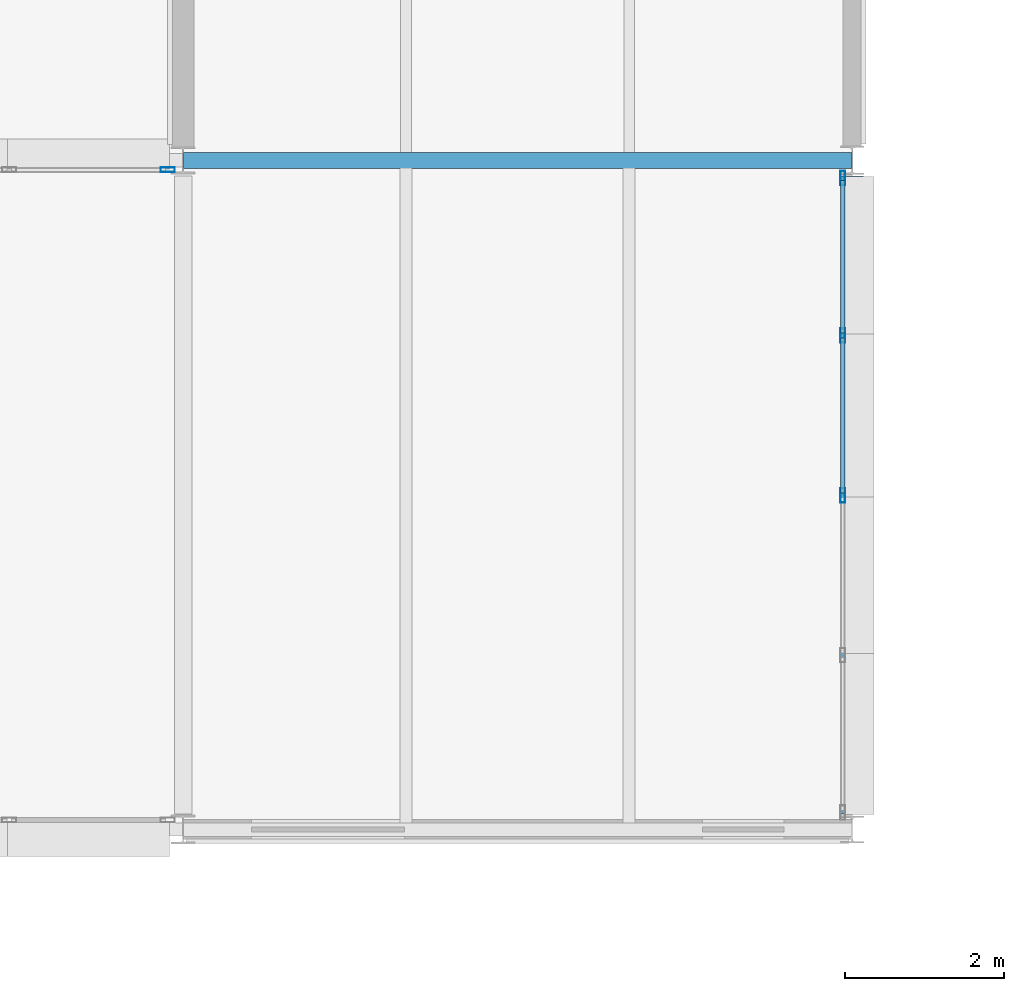
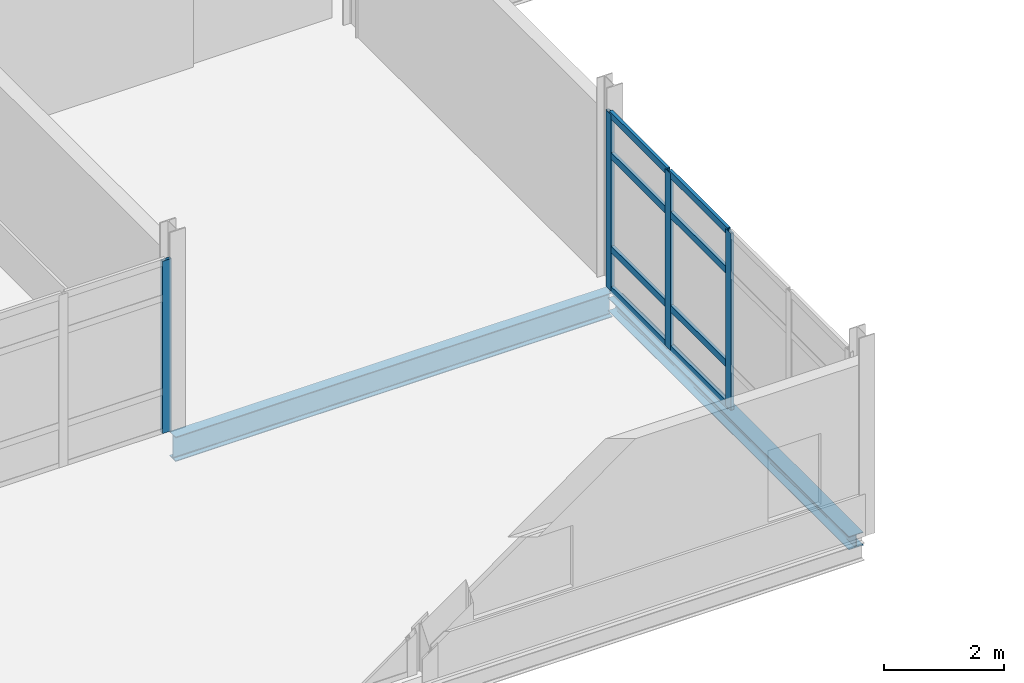
# One storey, part 45 of 131: 12 members, 2 beams, 2 elements without a shape of their own.
"""IFC4 building model written with IfcOpenShell, lengths in metres."""

from ifc_helpers import new_model, si_unit, direction, frame, origin, origin_2d, place, context, subcontext, project, spatial, hollow_rectangle, i_section, extrude, material, material_profile, profile_set, type_object, element, aggregate, save


model = new_model("IFC4")

# Units and contexts
model_context = context("Model", 3, precision=1e-05, world=origin(), true_north=direction((0.0, 1.0)))
body_context = subcontext(model_context, "Body", "Model", "MODEL_VIEW")
ifc_project = project(units=[si_unit("LENGTHUNIT", "METRE"), si_unit("AREAUNIT", "SQUARE_METRE"), si_unit("VOLUMEUNIT", "CUBIC_METRE"), si_unit("PLANEANGLEUNIT", "RADIAN"), si_unit("MASSUNIT", "GRAM", prefix="KILO")], contexts=[model_context])

# Site, building, storey
site_placement = place(None, origin())
site = spatial("IfcSite", under=ifc_project, at=site_placement, CompositionType="ELEMENT")
building_placement = place(site_placement, origin())
building = spatial("IfcBuilding", under=site, at=building_placement, Name="Mersafa Astral City Hall", CompositionType="ELEMENT")
storey_placement = place(building_placement, frame((0.0, 0.0, 13.949951171875)))
storey = spatial("IfcBuildingStorey", under=building, at=storey_placement, Name="L03", CompositionType="ELEMENT", Elevation=13.949951171875)

# Curtain wall, member
ifc_material_1 = material(Name="Anodised bronze aluminium framing", Category="aluminium")
curtain_wall_type = type_object("IfcCurtainWallType", Name="ENV-CW-4", PredefinedType="USERDEFINED", material=ifc_material_1)
curtain_wall_1_placement = place(storey_placement, origin())
curtain_wall_1 = element("IfcCurtainWall", 1, at=curtain_wall_1_placement, inside=storey, type_object=curtain_wall_type, Name="L03 Unitised solar curtain wall 171", ObjectType="UNITISED CURTAIN WALL", PredefinedType="USERDEFINED")
ifc_material_profile_1 = material_profile(ifc_material_1, hollow_rectangle(XDim=0.06005859375, YDim=0.179931640625, WallThickness=0.00390625, at=origin_2d()), Name="RHS 60x180x4")
ifc_profile_set_1 = profile_set([ifc_material_profile_1], Name="Anodised bronze aluminium framing")
member_type_1 = type_object("IfcMemberType", Name="ENV-CW-MUL-1", PredefinedType="MULLION", material=ifc_profile_set_1)
member_1_placement = place(storey_placement, frame((41.80810546875, 100.679931640625, -0.001953125), z_axis=(0.0, 0.0, 1.0), x_axis=(0.0, -1.0, 0.0)))
member_1 = element("IfcMember", 2, at=member_1_placement, type_object=member_type_1, Name="CW-4 mullion 1", PredefinedType="MULLION", context=body_context, shape_type="SweptSolid", body=[
    extrude(hollow_rectangle(XDim=0.06005859375, YDim=0.179931640625, WallThickness=0.00390625, at=origin_2d()), origin(), (0.0, 0.0, 1.0), 3.50390625),
])
aggregate(curtain_wall_1, [member_1])

# Curtain wall, members
curtain_wall_2_placement = place(storey_placement, origin())
curtain_wall_2 = element("IfcCurtainWall", 3, at=curtain_wall_2_placement, inside=storey, type_object=curtain_wall_type, Name="L03 Unitised solar curtain wall 177", ObjectType="UNITISED CURTAIN WALL", PredefinedType="USERDEFINED")
member_2_placement = place(storey_placement, frame((50.280029296875, 96.594970703125, -0.001953125), z_axis=(0.0, 0.0, 1.0), x_axis=(-1.0, 0.0, 0.0)))
member_2 = element("IfcMember", 4, at=member_2_placement, type_object=member_type_1, Name="CW-4 mullion 3", PredefinedType="MULLION", context=body_context, shape_type="SweptSolid", body=[
    extrude(hollow_rectangle(XDim=0.06005859375, YDim=0.179931640625, WallThickness=0.00390625, at=origin_2d()), origin(), (0.0, 0.0, 1.0), 3.593994140625),
])
member_3_placement = place(storey_placement, frame((50.280029296875, 98.6015625, -0.001953125), z_axis=(0.0, 0.0, 1.0), x_axis=(-1.0, 0.0, 0.0)))
member_3 = element("IfcMember", 5, at=member_3_placement, type_object=member_type_1, Name="CW-4 mullion 4", PredefinedType="MULLION", context=body_context, shape_type="SweptSolid", body=[
    extrude(hollow_rectangle(XDim=0.06005859375, YDim=0.179931640625, WallThickness=0.00390625, at=origin_2d()), origin(), (0.0, 0.0, 1.0), 3.593994140625),
])
member_4_placement = place(storey_placement, frame((50.280029296875, 100.577880859375, -0.001953125), z_axis=(0.0, 0.0, 1.0), x_axis=(-1.0, 0.0, 0.0)))
member_4 = element("IfcMember", 6, at=member_4_placement, type_object=member_type_1, Name="CW-4 mullion 5", PredefinedType="MULLION", context=body_context, shape_type="SweptSolid", body=[
    extrude(hollow_rectangle(XDim=0.06005859375, YDim=0.179931640625, WallThickness=0.00390625, at=origin_2d()), origin(), (0.0, 0.0, 1.0), 3.593994140625),
])
ifc_material_profile_2 = material_profile(ifc_material_1, hollow_rectangle(XDim=0.06005859375, YDim=0.139892578125, WallThickness=0.00390625, at=origin_2d()), Name="RHS 60x140x4")
ifc_profile_set_2 = profile_set([ifc_material_profile_2], Name="Anodised bronze aluminium framing")
member_type_2 = type_object("IfcMemberType", Name="ENV-CW-TRN-1", PredefinedType="USERDEFINED", material=ifc_profile_set_2)
member_5_placement = place(storey_placement, frame((50.280029296875, 96.625, 0.028076171875), z_axis=(0.0, 1.0, 0.0), x_axis=(-1.0, 0.0, 0.0)))
member_5 = element("IfcMember", 7, at=member_5_placement, type_object=member_type_2, Name="CW-4 transom 3.1", ObjectType="TRANSOM", PredefinedType="USERDEFINED", context=body_context, shape_type="SweptSolid", body=[
    extrude(hollow_rectangle(XDim=0.06005859375, YDim=0.139892578125, WallThickness=0.00390625, at=origin_2d()), origin(), (0.0, 0.0, 1.0), 1.946533203125),
])
member_6_placement = place(storey_placement, frame((50.280029296875, 96.625, 0.85009765625), z_axis=(0.0, 1.0, 0.0), x_axis=(-1.0, 0.0, 0.0)))
member_6 = element("IfcMember", 8, at=member_6_placement, type_object=member_type_2, Name="CW-4 transom 3.2", ObjectType="TRANSOM", PredefinedType="USERDEFINED", context=body_context, shape_type="SweptSolid", body=[
    extrude(hollow_rectangle(XDim=0.06005859375, YDim=0.139892578125, WallThickness=0.00390625, at=origin_2d()), origin(), (0.0, 0.0, 1.0), 1.946533203125),
])
member_7_placement = place(storey_placement, frame((50.280029296875, 96.625, 2.75), z_axis=(0.0, 1.0, 0.0), x_axis=(-1.0, 0.0, 0.0)))
member_7 = element("IfcMember", 9, at=member_7_placement, type_object=member_type_2, Name="CW-4 transom 3.3", ObjectType="TRANSOM", PredefinedType="USERDEFINED", context=body_context, shape_type="SweptSolid", body=[
    extrude(hollow_rectangle(XDim=0.06005859375, YDim=0.139892578125, WallThickness=0.00390625, at=origin_2d()), origin(), (0.0, 0.0, 1.0), 1.946533203125),
])
member_8_placement = place(storey_placement, frame((50.280029296875, 96.625, 3.56201171875), z_axis=(0.0, 1.0, 0.0), x_axis=(-1.0, 0.0, 0.0)))
member_8 = element("IfcMember", 10, at=member_8_placement, type_object=member_type_2, Name="CW-4 transom 3.4", ObjectType="TRANSOM", PredefinedType="USERDEFINED", context=body_context, shape_type="SweptSolid", body=[
    extrude(hollow_rectangle(XDim=0.06005859375, YDim=0.139892578125, WallThickness=0.00390625, at=origin_2d()), origin(), (0.0, 0.0, 1.0), 1.946533203125),
])
member_9_placement = place(storey_placement, frame((50.280029296875, 98.631591796875, 0.028076171875), z_axis=(0.0, 1.0, 0.0), x_axis=(-1.0, 0.0, 0.0)))
member_9 = element("IfcMember", 11, at=member_9_placement, type_object=member_type_2, Name="CW-4 transom 4.1", ObjectType="TRANSOM", PredefinedType="USERDEFINED", context=body_context, shape_type="SweptSolid", body=[
    extrude(hollow_rectangle(XDim=0.06005859375, YDim=0.139892578125, WallThickness=0.00390625, at=origin_2d()), origin(), (0.0, 0.0, 1.0), 1.91650390625),
])
member_10_placement = place(storey_placement, frame((50.280029296875, 98.631591796875, 0.85009765625), z_axis=(0.0, 1.0, 0.0), x_axis=(-1.0, 0.0, 0.0)))
member_10 = element("IfcMember", 12, at=member_10_placement, type_object=member_type_2, Name="CW-4 transom 4.2", ObjectType="TRANSOM", PredefinedType="USERDEFINED", context=body_context, shape_type="SweptSolid", body=[
    extrude(hollow_rectangle(XDim=0.06005859375, YDim=0.139892578125, WallThickness=0.00390625, at=origin_2d()), origin(), (0.0, 0.0, 1.0), 1.91650390625),
])
member_11_placement = place(storey_placement, frame((50.280029296875, 98.631591796875, 2.75), z_axis=(0.0, 1.0, 0.0), x_axis=(-1.0, 0.0, 0.0)))
member_11 = element("IfcMember", 13, at=member_11_placement, type_object=member_type_2, Name="CW-4 transom 4.3", ObjectType="TRANSOM", PredefinedType="USERDEFINED", context=body_context, shape_type="SweptSolid", body=[
    extrude(hollow_rectangle(XDim=0.06005859375, YDim=0.139892578125, WallThickness=0.00390625, at=origin_2d()), origin(), (0.0, 0.0, 1.0), 1.91650390625),
])
member_12_placement = place(storey_placement, frame((50.280029296875, 98.631591796875, 3.56201171875), z_axis=(0.0, 1.0, 0.0), x_axis=(-1.0, 0.0, 0.0)))
member_12 = element("IfcMember", 14, at=member_12_placement, type_object=member_type_2, Name="CW-4 transom 4.4", ObjectType="TRANSOM", PredefinedType="USERDEFINED", context=body_context, shape_type="SweptSolid", body=[
    extrude(hollow_rectangle(XDim=0.06005859375, YDim=0.139892578125, WallThickness=0.00390625, at=origin_2d()), origin(), (0.0, 0.0, 1.0), 1.91650390625),
])
aggregate(curtain_wall_2, [member_2, member_3, member_4, member_5, member_6, member_7, member_8, member_9, member_10, member_11, member_12])

# Beams
ifc_material_2 = material(Name="Steel S355", Category="steel")
ifc_material_profile_3 = material_profile(ifc_material_2, i_section(OverallWidth=0.199951171875, OverallDepth=0.5, WebThickness=0.01025390625, FlangeThickness=0.01611328125, FilletRadius=0.02099609375, at=origin_2d()), Name="IPE 500")
ifc_profile_set_3 = profile_set([ifc_material_profile_3], Name="Steel S355")
beam_type_1 = type_object("IfcBeamType", Name="STR-BM-IPE500", PredefinedType="BEAM", material=ifc_profile_set_3)
beam_1_placement = place(storey_placement, frame((42.0029296875, 100.800048828125, -0.449951171875), z_axis=(1.0, 0.0, 0.0), x_axis=(0.0, 1.0, 0.0)))
element("IfcBeam", 15, at=beam_1_placement, inside=storey, type_object=beam_type_1, Name="L03 Primary girder X 5-12", PredefinedType="BEAM", context=body_context, shape_type="SweptSolid", body=[
    extrude(i_section(OverallWidth=0.199951171875, OverallDepth=0.5, WebThickness=0.01025390625, FlangeThickness=0.01611328125, FilletRadius=0.02099609375, at=origin_2d()), origin(), (0.0, 0.0, 1.0), 8.39404296875),
])
ifc_material_profile_4 = material_profile(ifc_material_2, i_section(OverallWidth=0.280029296875, OverallDepth=0.27001953125, WebThickness=0.008056640625, FlangeThickness=0.012939453125, FilletRadius=0.02392578125, at=origin_2d()), Name="HEA 280")
ifc_profile_set_4 = profile_set([ifc_material_profile_4], Name="Steel S355")
beam_type_2 = type_object("IfcBeamType", Name="STR-BM-SPANDREL-HEA280", PredefinedType="SPANDREL", material=ifc_profile_set_4)
beam_2_placement = place(storey_placement, frame((50.39990234375, 92.594970703125, -0.3349609375), z_axis=(0.0, 1.0, 0.0), x_axis=(-1.0, 0.0, 0.0)))
element("IfcBeam", 16, at=beam_2_placement, inside=storey, type_object=beam_type_2, Name="L03 Primary girder Y 6-11", PredefinedType="SPANDREL", context=body_context, shape_type="SweptSolid", body=[
    extrude(i_section(OverallWidth=0.280029296875, OverallDepth=0.27001953125, WebThickness=0.008056640625, FlangeThickness=0.012939453125, FilletRadius=0.02392578125, at=origin_2d()), origin(), (0.0, 0.0, 1.0), 8.010009765625),
])

save(model, "model.ifc")
